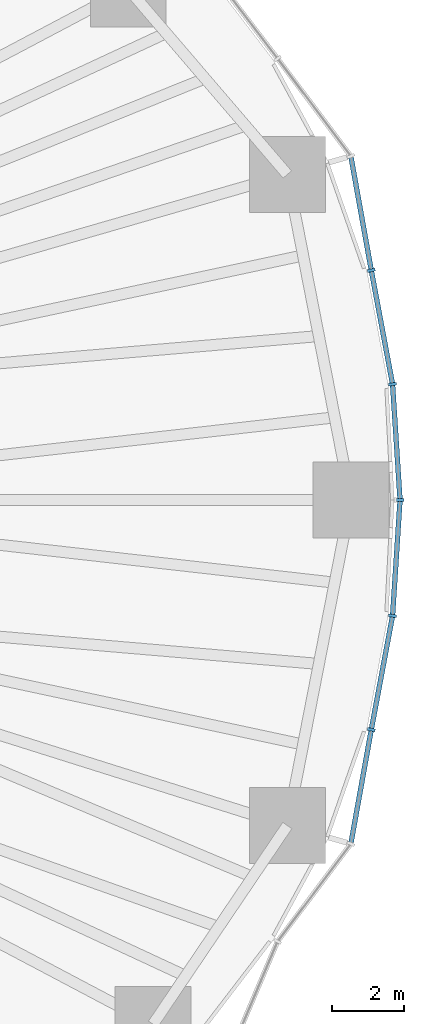
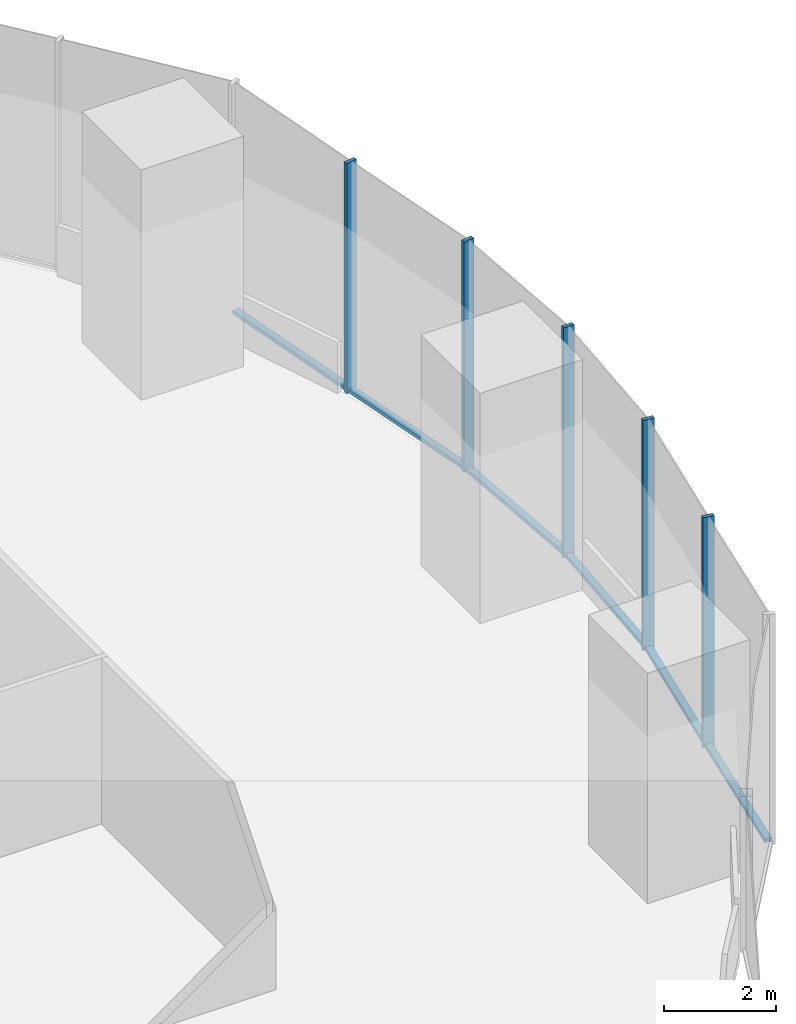
# One storey, part 7 of 20: 11 members, 2 elements without a shape of their own.
"""IFC4 building model written with IfcOpenShell, lengths in metres."""

from ifc_helpers import new_model, si_unit, direction, frame, origin, origin_2d, place, context, subcontext, project, spatial, rectangle, extrude, material, material_profile, profile_set, type_object, element, aggregate, save


model = new_model("IFC4")

# Units and contexts
model_context = context("Model", 3, precision=1e-05, world=origin(), true_north=direction((0.0, 1.0)))
body_context = subcontext(model_context, "Body", "Model", "MODEL_VIEW")
ifc_project = project(units=[si_unit("LENGTHUNIT", "METRE"), si_unit("AREAUNIT", "SQUARE_METRE"), si_unit("VOLUMEUNIT", "CUBIC_METRE"), si_unit("PLANEANGLEUNIT", "RADIAN"), si_unit("MASSUNIT", "GRAM", prefix="KILO")], contexts=[model_context])

# Site, building, storey
site_placement = place(None, origin())
site = spatial("IfcSite", under=ifc_project, at=site_placement, CompositionType="ELEMENT")
building_placement = place(site_placement, origin())
building = spatial("IfcBuilding", under=site, at=building_placement, Name="Ghaith Harvest Tower", CompositionType="ELEMENT")
storey_placement = place(building_placement, frame((0.0, 0.0, 40.0)))
storey = spatial("IfcBuildingStorey", under=building, at=storey_placement, Name="L08", CompositionType="ELEMENT", Elevation=40.0)

# Curtain wall, members
ifc_material_1 = material(Name="Black anodised aluminium and fritted glass", Category="aluminium")
curtain_wall_type = type_object("IfcCurtainWallType", Name="CW-F CURTAIN WALL", PredefinedType="NOTDEFINED", material=ifc_material_1)
curtain_wall_1_placement = place(storey_placement, origin())
curtain_wall_1 = element("IfcCurtainWall", 1, at=curtain_wall_1_placement, inside=storey, type_object=curtain_wall_type, Name="Curtain wall CW-F bay 01 L08", PredefinedType="NOTDEFINED")
ifc_material_2 = material(Name="Aluminium, black anodised", Category="aluminium")
ifc_material_profile_1 = material_profile(ifc_material_2, rectangle(XDim=0.080078125, YDim=0.219970703125, at=origin_2d()), Name="CW-F MULLION 80x220")
ifc_profile_set_1 = profile_set([ifc_material_profile_1], Name="Aluminium, black anodised")
member_type_1 = type_object("IfcMemberType", Name="CW-F MULLION 80x220", PredefinedType="MULLION", material=ifc_profile_set_1)
member_1_placement = place(storey_placement, frame((34.284912109375, 0.0, 0.0), z_axis=(0.0, 0.0, 1.0), x_axis=(1.05e-10, 1.0, 0.0)))
member_1 = element("IfcMember", 2, at=member_1_placement, type_object=member_type_1, Name="CW-F mullion 1 bay 01 L08", PredefinedType="MULLION", context=body_context, shape_type="SweptSolid", body=[
    extrude(rectangle(XDim=0.080078125, YDim=0.219970703125, at=origin_2d()), origin(), (0.0, 0.0, 1.0), 5.0),
])
member_2_placement = place(storey_placement, frame((34.077880859375, 3.205322265625, 0.0), z_axis=(0.0, 0.0, 1.0), x_axis=(-0.12416951168, 0.992261020281, 0.0)))
member_2 = element("IfcMember", 3, at=member_2_placement, type_object=member_type_1, Name="CW-F mullion 2 bay 01 L08", PredefinedType="MULLION", context=body_context, shape_type="SweptSolid", body=[
    extrude(rectangle(XDim=0.080078125, YDim=0.219970703125, at=origin_2d()), origin(), (0.0, 0.0, 1.0), 5.0),
])
member_3_placement = place(storey_placement, frame((33.489501953125, 6.3564453125, 0.0), z_axis=(0.0, 0.0, 1.0), x_axis=(-0.179943325455, 0.98367697931, 0.0)))
member_3 = element("IfcMember", 4, at=member_3_placement, type_object=member_type_1, Name="CW-F mullion 3 bay 01 L08", PredefinedType="MULLION", context=body_context, shape_type="SweptSolid", body=[
    extrude(rectangle(XDim=0.080078125, YDim=0.219970703125, at=origin_2d()), origin(), (0.0, 0.0, 1.0), 5.0),
])

curtain_wall_2_placement = place(storey_placement, origin())
curtain_wall_2 = element("IfcCurtainWall", 5, at=curtain_wall_2_placement, inside=storey, type_object=curtain_wall_type, Name="Curtain wall CW-F bay 20 L08", PredefinedType="NOTDEFINED")
member_4_placement = place(storey_placement, frame((33.489501953125, -6.3564453125, 0.0), z_axis=(0.0, 0.0, 1.0), x_axis=(0.17994332573, 0.98367697926, 0.0)))
member_4 = element("IfcMember", 6, at=member_4_placement, type_object=member_type_1, Name="CW-F mullion 2 bay 20 L08", PredefinedType="MULLION", context=body_context, shape_type="SweptSolid", body=[
    extrude(rectangle(XDim=0.080078125, YDim=0.219970703125, at=origin_2d()), origin(), (0.0, 0.0, 1.0), 5.0),
])
member_5_placement = place(storey_placement, frame((34.077880859375, -3.205322265625, 0.0), z_axis=(0.0, 0.0, 1.0), x_axis=(0.124169511819, 0.992261020264, 0.0)))
member_5 = element("IfcMember", 7, at=member_5_placement, type_object=member_type_1, Name="CW-F mullion 3 bay 20 L08", PredefinedType="MULLION", context=body_context, shape_type="SweptSolid", body=[
    extrude(rectangle(XDim=0.080078125, YDim=0.219970703125, at=origin_2d()), origin(), (0.0, 0.0, 1.0), 5.0),
])

# Member
ifc_material_3 = material(Name="Aluminium, black anodised", Category="aluminium")
ifc_material_profile_2 = material_profile(ifc_material_3, rectangle(XDim=0.139892578125, YDim=0.080078125, at=origin_2d()), Name="CW-F TRANSOM 140x80")
ifc_profile_set_2 = profile_set([ifc_material_profile_2], Name="Aluminium, black anodised")
member_type_2 = type_object("IfcMemberType", Name="CW-F TRANSOM 140x80", PredefinedType="USERDEFINED", material=ifc_profile_set_2)
member_6_placement = place(storey_placement, frame((34.282470703125, 0.039794921875, 0.0400390625), z_axis=(-0.064459898973, 0.997920298132, 0.0), x_axis=(-0.997920298132, -0.064459898973, 0.0)))
member_6 = element("IfcMember", 8, at=member_6_placement, type_object=member_type_2, Name="CW-F transom 1 bay 01 L08", ObjectType="TRANSOM", PredefinedType="USERDEFINED", context=body_context, shape_type="SweptSolid", body=[
    extrude(rectangle(XDim=0.139892578125, YDim=0.080078125, at=origin_2d()), origin(), (0.0, 0.0, 1.0), 3.13232421875),
])

member_7_placement = place(storey_placement, frame((34.070556640625, 3.24462890625, 0.0400390625), z_axis=(-0.183557496381, 0.983008975301, 0.0), x_axis=(-0.983008975301, -0.183557496381, 0.0)))
member_7 = element("IfcMember", 9, at=member_7_placement, type_object=member_type_2, Name="CW-F transom 2 bay 01 L08", ObjectType="TRANSOM", PredefinedType="USERDEFINED", context=body_context, shape_type="SweptSolid", body=[
    extrude(rectangle(XDim=0.139892578125, YDim=0.080078125, at=origin_2d()), origin(), (0.0, 0.0, 1.0), 3.125732421875),
])

member_8_placement = place(storey_placement, frame((33.482421875, 6.395751953125, 0.0400390625), z_axis=(-0.176303612865, 0.984335835013, 0.0), x_axis=(-0.984335835013, -0.176303612865, 0.0)))
member_8 = element("IfcMember", 10, at=member_8_placement, type_object=member_type_2, Name="CW-F transom 3 bay 01 L08", ObjectType="TRANSOM", PredefinedType="USERDEFINED", context=body_context, shape_type="SweptSolid", body=[
    extrude(rectangle(XDim=0.139892578125, YDim=0.080078125, at=origin_2d()), origin(), (0.0, 0.0, 1.0), 3.129638671875),
])

aggregate(curtain_wall_1, [member_1, member_6, member_2, member_7, member_3, member_8])

member_9_placement = place(storey_placement, frame((32.9306640625, -9.476318359375, 0.0400390625), z_axis=(0.176303612865, 0.984335835013, 0.0), x_axis=(-0.984335835013, 0.176303612865, 0.0)))
member_9 = element("IfcMember", 11, at=member_9_placement, type_object=member_type_2, Name="CW-F transom 1 bay 20 L08", ObjectType="TRANSOM", PredefinedType="USERDEFINED", context=body_context, shape_type="SweptSolid", body=[
    extrude(rectangle(XDim=0.139892578125, YDim=0.080078125, at=origin_2d()), origin(), (0.0, 0.0, 1.0), 3.129638671875),
])

member_10_placement = place(storey_placement, frame((33.496826171875, -6.317138671875, 0.0400390625), z_axis=(0.183557496381, 0.983008975301, 0.0), x_axis=(-0.983008975301, 0.183557496381, 0.0)))
member_10 = element("IfcMember", 12, at=member_10_placement, type_object=member_type_2, Name="CW-F transom 2 bay 20 L08", ObjectType="TRANSOM", PredefinedType="USERDEFINED", context=body_context, shape_type="SweptSolid", body=[
    extrude(rectangle(XDim=0.139892578125, YDim=0.080078125, at=origin_2d()), origin(), (0.0, 0.0, 1.0), 3.125732421875),
])

member_11_placement = place(storey_placement, frame((34.08056640625, -3.16552734375, 0.0400390625), z_axis=(0.064459898973, 0.997920298132, 0.0), x_axis=(-0.997920298132, 0.064459898973, 0.0)))
member_11 = element("IfcMember", 13, at=member_11_placement, type_object=member_type_2, Name="CW-F transom 3 bay 20 L08", ObjectType="TRANSOM", PredefinedType="USERDEFINED", context=body_context, shape_type="SweptSolid", body=[
    extrude(rectangle(XDim=0.139892578125, YDim=0.080078125, at=origin_2d()), origin(), (0.0, 0.0, 1.0), 3.13232421875),
])

aggregate(curtain_wall_2, [member_9, member_4, member_10, member_5, member_11])

save(model, "model.ifc")
